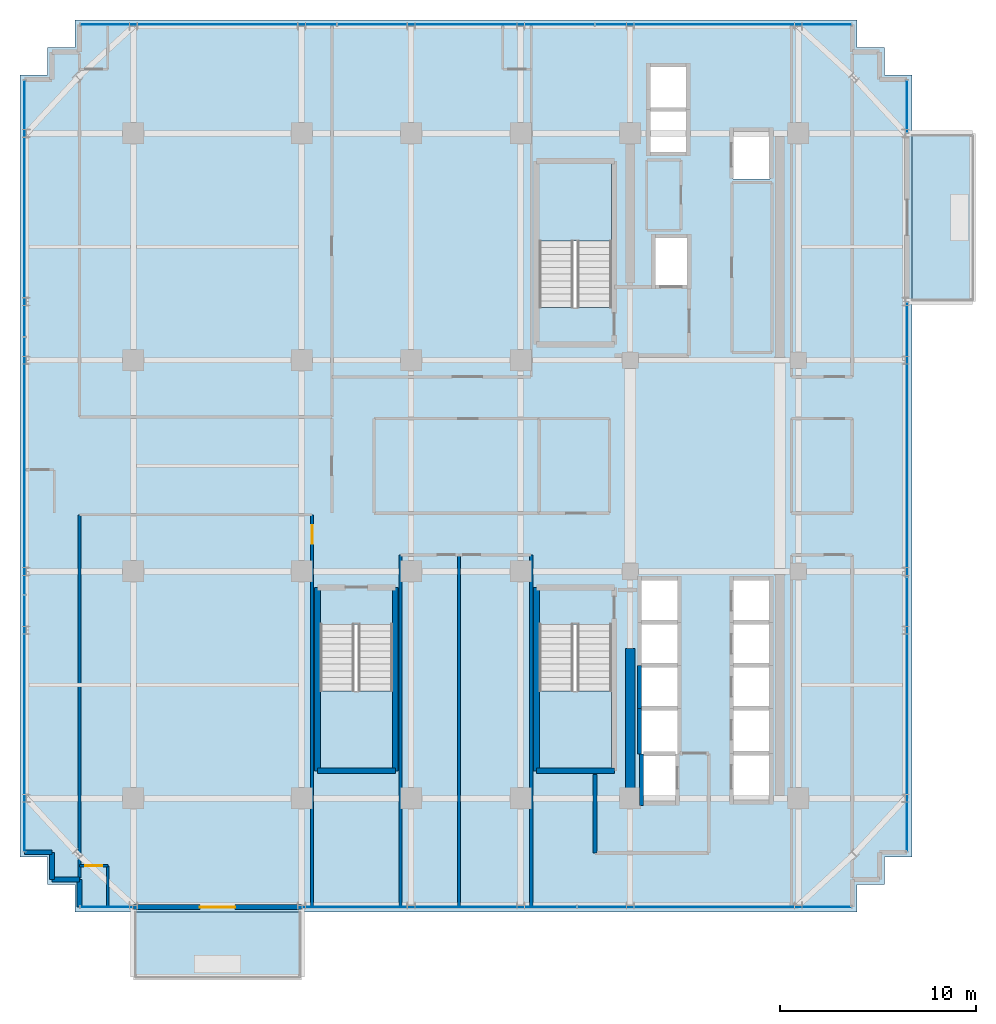
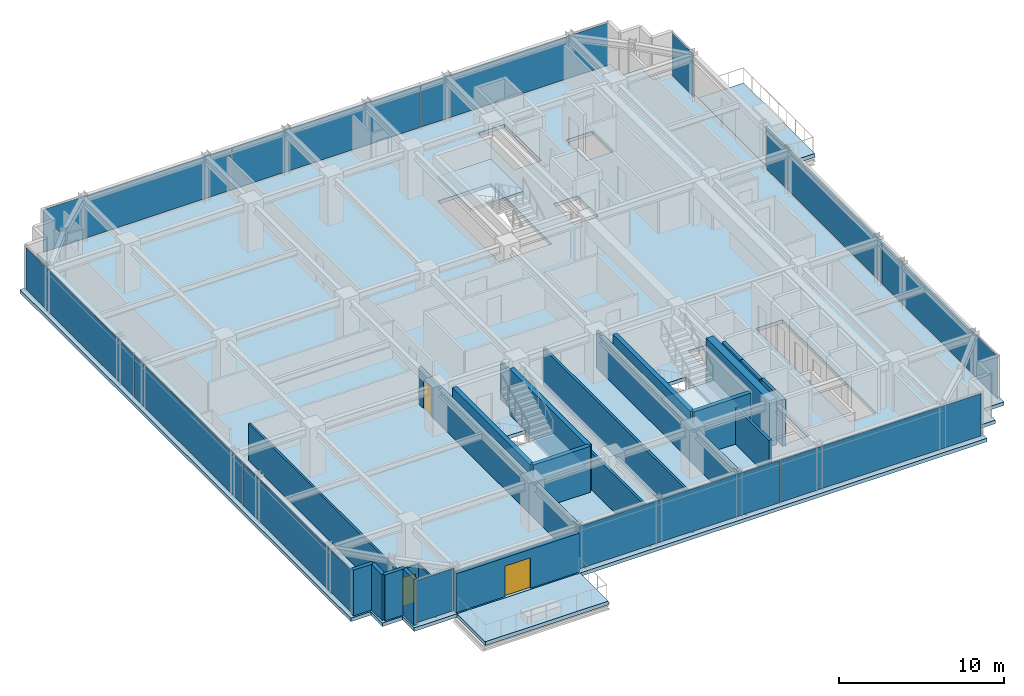
# One storey, part 24 of 31: 22 walls, 12 plates, 6 slabs, 3 doors, 3 openings, 9 elements without a shape of their own.
"""IFC4 building model written with IfcOpenShell, lengths in metres."""

from ifc_helpers import new_model, si_unit, direction, frame, frame_2d, origin, origin_2d, place, context, subcontext, project, spatial, polyline, rectangle, outline, extrude, source, transform, mapped, material, layer, layer_set, type_object, element, fill, aggregate, save


model = new_model("IFC4")

# Units and contexts
model_context = context("Model", 3, precision=1e-05, world=origin(), true_north=direction((0.0, 1.0)))
body_context = subcontext(model_context, "Body", "Model", "MODEL_VIEW")
ifc_project = project(units=[si_unit("LENGTHUNIT", "METRE"), si_unit("AREAUNIT", "SQUARE_METRE"), si_unit("VOLUMEUNIT", "CUBIC_METRE"), si_unit("PLANEANGLEUNIT", "RADIAN"), si_unit("MASSUNIT", "GRAM", prefix="KILO")], contexts=[model_context])

# Site, building, storey
site_placement = place(None, origin())
site = spatial("IfcSite", under=ifc_project, at=site_placement, CompositionType="ELEMENT")
building_placement = place(site_placement, origin())
building = spatial("IfcBuilding", under=site, at=building_placement, Name="Nahalor Promenade Grand Hotel", CompositionType="ELEMENT")
storey_placement = place(building_placement, frame((0.0, 0.0, 192.800048828125)))
storey = spatial("IfcBuildingStorey", under=building, at=storey_placement, Name="L49", CompositionType="ELEMENT", Elevation=192.800048828125)

# Stair, slab
ifc_material_1 = material(Name="Concrete B-50 (C40/50)", Category="concrete")
stair_type_1 = type_object("IfcStairType", Name="Stair-ST1", PredefinedType="HALF_TURN_STAIR", material=ifc_material_1)
stair_1_placement = place(storey_placement, origin())
stair_1 = element("IfcStair", 1, at=stair_1_placement, inside=storey, type_object=stair_type_1, Name="L49 ST1", PredefinedType="HALF_TURN_STAIR")
ifc_layer_1 = layer(ifc_material_1, 0.199951171875)
ifc_layer_set_1 = layer_set([ifc_layer_1], Name="Concrete B-50 (C40/50)")
slab_type_1 = type_object("IfcSlabType", Name="Landing-ST1", PredefinedType="LANDING", material=ifc_layer_set_1)
slab_1_placement = place(storey_placement, frame((0.0, 0.0, 1.625)))
slab_1 = element("IfcSlab", 2, at=slab_1_placement, type_object=slab_type_1, Name="ST1 landing 1", PredefinedType="LANDING", context=body_context, shape_type="SweptSolid", body=[
    extrude(outline(polyline([(7.449951171875, 11.5), (7.449951171875, 15.449951171875), (3.75, 15.449951171875), (3.75, 11.5), (7.449951171875, 11.5)])), origin(), (0.0, 0.0, 1.0), 0.199951171875),
])
aggregate(stair_1, [slab_1])

stair_type_2 = type_object("IfcStairType", Name="Stair-ST2", PredefinedType="HALF_TURN_STAIR", material=ifc_material_1)
stair_2_placement = place(storey_placement, origin())
stair_2 = element("IfcStair", 3, at=stair_2_placement, inside=storey, type_object=stair_type_2, Name="L49 ST2", PredefinedType="HALF_TURN_STAIR")
ifc_layer_2 = layer(ifc_material_1, 0.2099609375)
ifc_layer_set_2 = layer_set([ifc_layer_2], Name="Concrete B-50 (C40/50)")
slab_type_2 = type_object("IfcSlabType", Name="Landing-ST2", PredefinedType="LANDING", material=ifc_layer_set_2)
slab_2_placement = place(storey_placement, frame((0.0, 0.0, 1.614990234375)))
slab_2 = element("IfcSlab", 4, at=slab_2_placement, type_object=slab_type_2, Name="ST2 landing 1", PredefinedType="LANDING", context=body_context, shape_type="SweptSolid", body=[
    extrude(outline(polyline([(3.75, -11.5), (3.75, -15.449951171875), (7.449951171875, -15.449951171875), (7.449951171875, -11.5), (3.75, -11.5)])), origin(), (0.0, 0.0, 1.0), 0.2099609375),
])
aggregate(stair_2, [slab_2])

stair_type_3 = type_object("IfcStairType", Name="Stair-ST3", PredefinedType="HALF_TURN_STAIR", material=ifc_material_1)
stair_3_placement = place(storey_placement, origin())
stair_3 = element("IfcStair", 5, at=stair_3_placement, inside=storey, type_object=stair_type_3, Name="L49 ST3", PredefinedType="HALF_TURN_STAIR")
ifc_layer_3 = layer(ifc_material_1, 0.219970703125)
ifc_layer_set_3 = layer_set([ifc_layer_3], Name="Concrete B-50 (C40/50)")
slab_type_3 = type_object("IfcSlabType", Name="Landing-ST3", PredefinedType="LANDING", material=ifc_layer_set_3)
slab_3_placement = place(storey_placement, frame((0.0, 0.0, 1.60498046875)))
slab_3 = element("IfcSlab", 6, at=slab_3_placement, type_object=slab_type_3, Name="ST3 landing 1", PredefinedType="LANDING", context=body_context, shape_type="SweptSolid", body=[
    extrude(outline(polyline([(-7.449951171875, -11.5), (-7.449951171875, -15.449951171875), (-3.75, -15.449951171875), (-3.75, -11.5), (-7.449951171875, -11.5)])), origin(), (0.0, 0.0, 1.0), 0.219970703125),
])
aggregate(stair_3, [slab_3])

# Slabs
ifc_layer_4 = layer(ifc_material_1, 0.280029296875)
ifc_layer_set_4 = layer_set([ifc_layer_4], Name="Concrete B-50 (C40/50)")
slab_type_4 = type_object("IfcSlabType", Name="Slab-Balcony-280", PredefinedType="FLOOR", material=ifc_layer_set_4)
slab_4_placement = place(storey_placement, frame((0.0, 0.0, -0.280029296875)))
element("IfcSlab", 7, at=slab_4_placement, inside=storey, type_object=slab_type_4, Name="L49 Cantilevered Planted Balcony 1", PredefinedType="FLOOR", context=body_context, shape_type="SweptSolid", body=[
    extrude(outline(polyline([(-17.0, -26.219970703125), (-8.39990234375, -26.219970703125), (-8.39990234375, -22.800048828125), (-17.0, -22.800048828125), (-17.0, -26.219970703125)])), origin(), (0.0, 0.0, 1.0), 0.280029296875),
])
slab_5_placement = place(storey_placement, frame((0.0, 0.0, -0.280029296875)))
element("IfcSlab", 8, at=slab_5_placement, inside=storey, type_object=slab_type_4, Name="L49 Cantilevered Planted Balcony 2", PredefinedType="FLOOR", context=body_context, shape_type="SweptSolid", body=[
    extrude(outline(polyline([(22.800048828125, 8.39990234375), (25.989990234375, 8.39990234375), (25.989990234375, 17.0), (22.800048828125, 17.0), (22.800048828125, 8.39990234375)])), origin(), (0.0, 0.0, 1.0), 0.280029296875),
])
ifc_layer_5 = layer(ifc_material_1, 0.260009765625)
ifc_layer_set_5 = layer_set([ifc_layer_5], Name="Concrete B-50 (C40/50)")
slab_type_5 = type_object("IfcSlabType", Name="Slab-TowerZ3-260", PredefinedType="FLOOR", material=ifc_layer_set_5)
slab_6_placement = place(storey_placement, frame((0.0, 0.0, -0.260009765625)))
element("IfcSlab", 9, at=slab_6_placement, inside=storey, type_object=slab_type_5, Name="L49 Suspended Structural Floor Slab", PredefinedType="FLOOR", context=body_context, shape_type="SweptSolid", body=[
    extrude(outline(polyline([(-20.0, -22.800048828125), (20.0, -22.800048828125), (20.0, -21.39990234375), (21.39990234375, -21.39990234375), (21.39990234375, -20.0), (22.800048828125, -20.0), (22.800048828125, 20.0), (21.39990234375, 20.0), (21.39990234375, 21.39990234375), (20.0, 21.39990234375), (20.0, 22.800048828125), (-20.0, 22.800048828125), (-20.0, 21.39990234375), (-21.39990234375, 21.39990234375), (-21.39990234375, 20.0), (-22.800048828125, 20.0), (-22.800048828125, -20.0), (-21.39990234375, -20.0), (-21.39990234375, -21.39990234375), (-20.0, -21.39990234375), (-20.0, -22.800048828125)]), holes=[polyline([(3.75, 8.10009765625), (7.449951171875, 8.10009765625), (7.449951171875, 15.449951171875), (3.75, 15.449951171875), (3.75, 8.10009765625)]), polyline([(3.75, -15.449951171875), (7.449951171875, -15.449951171875), (7.449951171875, -8.10009765625), (3.75, -8.10009765625), (3.75, -15.449951171875)]), polyline([(-7.449951171875, -15.449951171875), (-3.75, -15.449951171875), (-3.75, -8.10009765625), (-7.449951171875, -8.10009765625), (-7.449951171875, -15.449951171875)]), polyline([(13.659912109375, -17.139892578125), (15.5400390625, -17.139892578125), (15.5400390625, -5.81005859375), (13.659912109375, -5.81005859375), (13.659912109375, -17.139892578125)]), polyline([(8.9599609375, -17.18994140625), (10.840087890625, -17.18994140625), (10.840087890625, -5.81005859375), (8.9599609375, -5.81005859375), (8.9599609375, -17.18994140625)]), polyline([(9.409912109375, 16.010009765625), (11.2900390625, 16.010009765625), (11.2900390625, 20.43994140625), (9.409912109375, 20.43994140625), (9.409912109375, 16.010009765625)]), polyline([(9.659912109375, 9.2099609375), (11.340087890625, 9.2099609375), (11.340087890625, 11.68994140625), (9.659912109375, 11.68994140625), (9.659912109375, 9.2099609375)]), polyline([(13.659912109375, 14.659912109375), (15.5400390625, 14.659912109375), (15.5400390625, 17.139892578125), (13.659912109375, 17.139892578125), (13.659912109375, 14.659912109375)])]), origin(), (0.0, 0.0, 1.0), 0.260009765625),
])

# Curtain wall, plate
ifc_material_2 = material(Name="Anodised Bronze Aluminium EN AW-6063 T6", Category="aluminium")
curtain_wall_type = type_object("IfcCurtainWallType", Name="CW2 Typical Hotel Flush Bronze Unitised Curtain Wall", PredefinedType="USERDEFINED", material=ifc_material_2)
curtain_wall_1_placement = place(storey_placement, origin())
curtain_wall_1 = element("IfcCurtainWall", 10, at=curtain_wall_1_placement, inside=storey, type_object=curtain_wall_type, Name="L49 Curtain Wall CW-L49-S-1", ObjectType="UNITISED_CURTAIN_WALL", PredefinedType="USERDEFINED")
ifc_material_3 = material(Name="Low-E Laminated Solar Glass", Category="glass")
ifc_layer_6 = layer(ifc_material_3, 0.028076171875)
ifc_layer_set_6 = layer_set([ifc_layer_6], Name="Low-E Laminated Solar Glass")
plate_type = type_object("IfcPlateType", Name="CWP2 Bronze Low-E Vision IGU 28mm", PredefinedType="CURTAIN_PANEL", material=ifc_layer_set_6)
shared_shape_1 = source(origin(), body_context, "Body", "SweptSolid", [
    extrude(rectangle(XDim=2.6298828125, YDim=0.028076171875, at=origin_2d()), origin(), (0.0, 0.0, 1.0), 3.1298828125),
])
plate_1_placement = place(storey_placement, frame((-18.3798828125, -22.56005859375, 0.130126953125), z_axis=(0.0, 0.0, 1.0), x_axis=(1.0, 0.0, 0.0)))
plate_1 = element("IfcPlate", 11, at=plate_1_placement, type_object=plate_type, Name="CW-L49-S-1 Glazing Panel 0-0", PredefinedType="CURTAIN_PANEL", context=body_context, shape_type="MappedRepresentation", body=[
    mapped(shared_shape_1, transform((0.0, 0.0, 0.0), scale=1.0)),
])
aggregate(curtain_wall_1, [plate_1])

curtain_wall_2_placement = place(storey_placement, origin())
curtain_wall_2 = element("IfcCurtainWall", 12, at=curtain_wall_2_placement, inside=storey, type_object=curtain_wall_type, Name="L49 Curtain Wall CW-L49-E-3", ObjectType="UNITISED_CURTAIN_WALL", PredefinedType="USERDEFINED")
plate_2_placement = place(storey_placement, frame((22.56005859375, 18.3798828125, 0.130126953125), z_axis=(0.0, 0.0, 1.0), x_axis=(0.0, 1.0, 0.0)))
plate_2 = element("IfcPlate", 13, at=plate_2_placement, type_object=plate_type, Name="CW-L49-E-3 Glazing Panel 0-0", PredefinedType="CURTAIN_PANEL", context=body_context, shape_type="MappedRepresentation", body=[
    mapped(shared_shape_1, transform((0.0, 0.0, 0.0), scale=1.0)),
])
aggregate(curtain_wall_2, [plate_2])

# Curtain wall, plates
curtain_wall_3_placement = place(storey_placement, origin())
curtain_wall_3 = element("IfcCurtainWall", 14, at=curtain_wall_3_placement, inside=storey, type_object=curtain_wall_type, Name="L49 Curtain Wall CW-L49-S-3", ObjectType="UNITISED_CURTAIN_WALL", PredefinedType="USERDEFINED")
shared_shape_2 = source(origin(), body_context, "Body", "SweptSolid", [
    extrude(rectangle(XDim=13.982421875, YDim=0.028076171875, at=origin_2d()), origin(), (0.0, 0.0, 1.0), 3.1298828125),
])
plate_3_placement = place(storey_placement, frame((-1.34375, -22.56005859375, 0.130126953125), z_axis=(0.0, 0.0, 1.0), x_axis=(1.0, 0.0, 0.0)))
plate_3 = element("IfcPlate", 15, at=plate_3_placement, type_object=plate_type, Name="CW-L49-S-3 Glazing Panel 0-0", PredefinedType="CURTAIN_PANEL", context=body_context, shape_type="MappedRepresentation", body=[
    mapped(shared_shape_2, transform((0.0, 0.0, 0.0), scale=1.0)),
])
plate_4_placement = place(storey_placement, frame((12.703857421875, -22.56005859375, 0.130126953125), z_axis=(0.0, 0.0, 1.0), x_axis=(1.0, 0.0, 0.0)))
plate_4 = element("IfcPlate", 16, at=plate_4_placement, type_object=plate_type, Name="CW-L49-S-3 Glazing Panel 1-0", PredefinedType="CURTAIN_PANEL", context=body_context, shape_type="MappedRepresentation", body=[
    mapped(shared_shape_2, transform((0.0, 0.0, 0.0), scale=1.0)),
])
aggregate(curtain_wall_3, [plate_3, plate_4])

curtain_wall_4_placement = place(storey_placement, origin())
curtain_wall_4 = element("IfcCurtainWall", 17, at=curtain_wall_4_placement, inside=storey, type_object=curtain_wall_type, Name="L49 Curtain Wall CW-L49-E-1", ObjectType="UNITISED_CURTAIN_WALL", PredefinedType="USERDEFINED")
plate_5_placement = place(storey_placement, frame((22.56005859375, -12.703857421875, 0.130126953125), z_axis=(0.0, 0.0, 1.0), x_axis=(0.0, 1.0, 0.0)))
plate_5 = element("IfcPlate", 18, at=plate_5_placement, type_object=plate_type, Name="CW-L49-E-1 Glazing Panel 0-0", PredefinedType="CURTAIN_PANEL", context=body_context, shape_type="MappedRepresentation", body=[
    mapped(shared_shape_2, transform((0.0, 0.0, 0.0), scale=1.0)),
])
plate_6_placement = place(storey_placement, frame((22.56005859375, 1.34375, 0.130126953125), z_axis=(0.0, 0.0, 1.0), x_axis=(0.0, 1.0, 0.0)))
plate_6 = element("IfcPlate", 19, at=plate_6_placement, type_object=plate_type, Name="CW-L49-E-1 Glazing Panel 1-0", PredefinedType="CURTAIN_PANEL", context=body_context, shape_type="MappedRepresentation", body=[
    mapped(shared_shape_2, transform((0.0, 0.0, 0.0), scale=1.0)),
])
aggregate(curtain_wall_4, [plate_5, plate_6])

curtain_wall_5_placement = place(storey_placement, origin())
curtain_wall_5 = element("IfcCurtainWall", 20, at=curtain_wall_5_placement, inside=storey, type_object=curtain_wall_type, Name="L49 Curtain Wall CW-L49-N-1", ObjectType="UNITISED_CURTAIN_WALL", PredefinedType="USERDEFINED")
shared_shape_3 = source(origin(), body_context, "Body", "SweptSolid", [
    extrude(rectangle(XDim=13.075927734375, YDim=0.028076171875, at=origin_2d()), origin(), (0.0, 0.0, 1.0), 3.1298828125),
])
plate_7_placement = place(storey_placement, frame((-13.156982421875, 22.56005859375, 0.130126953125), z_axis=(0.0, 0.0, 1.0), x_axis=(1.0, 0.0, 0.0)))
plate_7 = element("IfcPlate", 21, at=plate_7_placement, type_object=plate_type, Name="CW-L49-N-1 Glazing Panel 0-0", PredefinedType="CURTAIN_PANEL", context=body_context, shape_type="MappedRepresentation", body=[
    mapped(shared_shape_3, transform((0.0, 0.0, 0.0), scale=1.0)),
])
plate_8_placement = place(storey_placement, frame((13.156982421875, 22.56005859375, 0.130126953125), z_axis=(0.0, 0.0, 1.0), x_axis=(1.0, 0.0, 0.0)))
plate_8 = element("IfcPlate", 22, at=plate_8_placement, type_object=plate_type, Name="CW-L49-N-1 Glazing Panel 2-0", PredefinedType="CURTAIN_PANEL", context=body_context, shape_type="MappedRepresentation", body=[
    mapped(shared_shape_3, transform((0.0, 0.0, 0.0), scale=1.0)),
])

curtain_wall_6_placement = place(storey_placement, origin())
curtain_wall_6 = element("IfcCurtainWall", 23, at=curtain_wall_6_placement, inside=storey, type_object=curtain_wall_type, Name="L49 Curtain Wall CW-L49-W-1", ObjectType="UNITISED_CURTAIN_WALL", PredefinedType="USERDEFINED")
plate_9_placement = place(storey_placement, frame((-22.56005859375, -13.156982421875, 0.130126953125), z_axis=(0.0, 0.0, 1.0), x_axis=(0.0, 1.0, 0.0)))
plate_9 = element("IfcPlate", 24, at=plate_9_placement, type_object=plate_type, Name="CW-L49-W-1 Glazing Panel 0-0", PredefinedType="CURTAIN_PANEL", context=body_context, shape_type="MappedRepresentation", body=[
    mapped(shared_shape_3, transform((0.0, 0.0, 0.0), scale=1.0)),
])
plate_10_placement = place(storey_placement, frame((-22.56005859375, 13.156982421875, 0.130126953125), z_axis=(0.0, 0.0, 1.0), x_axis=(0.0, 1.0, 0.0)))
plate_10 = element("IfcPlate", 25, at=plate_10_placement, type_object=plate_type, Name="CW-L49-W-1 Glazing Panel 2-0", PredefinedType="CURTAIN_PANEL", context=body_context, shape_type="MappedRepresentation", body=[
    mapped(shared_shape_3, transform((0.0, 0.0, 0.0), scale=1.0)),
])

# Plate
shared_shape_4 = source(origin(), body_context, "Body", "SweptSolid", [
    extrude(rectangle(XDim=13.1083984375, YDim=0.028076171875, at=origin_2d()), origin(), (0.0, 0.0, 1.0), 3.1298828125),
])
plate_11_placement = place(storey_placement, frame((0.0, 22.56005859375, 0.130126953125), z_axis=(0.0, 0.0, 1.0), x_axis=(1.0, 0.0, 0.0)))
plate_11 = element("IfcPlate", 26, at=plate_11_placement, type_object=plate_type, Name="CW-L49-N-1 Glazing Panel 1-0", PredefinedType="CURTAIN_PANEL", context=body_context, shape_type="MappedRepresentation", body=[
    mapped(shared_shape_4, transform((0.0, 0.0, 0.0), scale=1.0)),
])

aggregate(curtain_wall_5, [plate_7, plate_11, plate_8])

plate_12_placement = place(storey_placement, frame((-22.56005859375, 0.0, 0.130126953125), z_axis=(0.0, 0.0, 1.0), x_axis=(0.0, 1.0, 0.0)))
plate_12 = element("IfcPlate", 27, at=plate_12_placement, type_object=plate_type, Name="CW-L49-W-1 Glazing Panel 1-0", PredefinedType="CURTAIN_PANEL", context=body_context, shape_type="MappedRepresentation", body=[
    mapped(shared_shape_4, transform((0.0, 0.0, 0.0), scale=1.0)),
])

aggregate(curtain_wall_6, [plate_9, plate_12, plate_10])

# Walls
ifc_material_4 = material(Name="Concrete B-60 (C50/60)", Category="concrete")
ifc_layer_7 = layer(ifc_material_4, 0.5)
ifc_layer_set_7 = layer_set([ifc_layer_7], Name="Concrete B-60 (C50/60)")
wall_type_1 = type_object("IfcWallType", Name="Wall-CoreShear-500", PredefinedType="SHEAR", material=ifc_layer_set_7)
shared_shape_5 = source(origin(), body_context, "Body", "SweptSolid", [
    extrude(rectangle(XDim=7.64990234375, YDim=0.5, at=frame_2d((3.824951171875, 0.0))), origin(), (0.0, 0.0, 1.0), 3.389892578125),
])
wall_1_placement = place(storey_placement, frame((8.39990234375, -17.0, 0.0), z_axis=(0.0, 0.0, 1.0), x_axis=(0.0, 1.0, 0.0)))
element("IfcWall", 28, at=wall_1_placement, inside=storey, type_object=wall_type_1, Name="CWALL-L49-SW", PredefinedType="SHEAR", context=body_context, shape_type="MappedRepresentation", body=[
    mapped(shared_shape_5, transform((0.0, 0.0, 0.0), scale=1.0)),
])
ifc_layer_8 = layer(ifc_material_1, 0.300048828125)
ifc_layer_set_8 = layer_set([ifc_layer_8], Name="Concrete B-50 (C40/50)")
wall_type_2 = type_object("IfcWallType", Name="Wall-ShaftShear-300", PredefinedType="SHEAR", material=ifc_layer_set_8)
shared_shape_6 = source(origin(), body_context, "Body", "SweptSolid", [
    extrude(rectangle(XDim=3.97998046875, YDim=0.300048828125, at=frame_2d((1.989990234375, 0.0))), origin(), (0.0, 0.0, 1.0), 3.389892578125),
])
for number, where, z_axis, x_axis, name in (
    (29, (3.610107421875, -15.590087890625, 0.0), (0.0, 0.0, 1.0), (1.0, 0.0, 0.0), "L49 Exit Stair ST2 Shaft Wall S"),
    (30, (-7.590087890625, -15.590087890625, 0.0), (0.0, 0.0, 1.0), (1.0, 0.0, 0.0), "L49 Exit Stair ST3 Shaft Wall S"),
):
    element("IfcWall", number, at=place(storey_placement, frame(where, z_axis=z_axis, x_axis=x_axis)), inside=storey, type_object=wall_type_2, Name=name, PredefinedType="SHEAR", context=body_context, shape_type="MappedRepresentation", body=[
        mapped(shared_shape_6, transform((0.0, 0.0, 0.0), scale=1.0)),
    ])
shared_shape_7 = source(origin(), body_context, "Body", "SweptSolid", [
    extrude(rectangle(XDim=9.380126953125, YDim=0.300048828125, at=frame_2d((4.68994140625, 0.0))), origin(), (0.0, 0.0, 1.0), 3.389892578125),
])
for number, where, z_axis, x_axis, name in (
    (31, (3.610107421875, -15.590087890625, 0.0), (0.0, 0.0, 1.0), (0.0, 1.0, 0.0), "L49 Exit Stair ST2 Shaft Wall W"),
    (32, (-7.590087890625, -15.590087890625, 0.0), (0.0, 0.0, 1.0), (0.0, 1.0, 0.0), "L49 Exit Stair ST3 Shaft Wall W"),
    (33, (-3.610107421875, -15.590087890625, 0.0), (0.0, 0.0, 1.0), (0.0, 1.0, 0.0), "L49 Exit Stair ST3 Shaft Wall E"),
):
    element("IfcWall", number, at=place(storey_placement, frame(where, z_axis=z_axis, x_axis=x_axis)), inside=storey, type_object=wall_type_2, Name=name, PredefinedType="SHEAR", context=body_context, shape_type="MappedRepresentation", body=[
        mapped(shared_shape_7, transform((0.0, 0.0, 0.0), scale=1.0)),
    ])
ifc_layer_9 = layer(ifc_material_1, 0.219970703125)
ifc_layer_set_9 = layer_set([ifc_layer_9], Name="Concrete B-50 (C40/50)")
wall_type_3 = type_object("IfcWallType", Name="Wall-LiftShaft-220", PredefinedType="SHEAR", material=ifc_layer_set_9)
shared_shape_8 = source(origin(), body_context, "Body", "SweptSolid", [
    extrude(rectangle(XDim=2.199951171875, YDim=0.219970703125, at=frame_2d((1.10009765625, 0.0))), origin(), (0.0, 0.0, 1.0), 3.389892578125),
])
wall_2_placement = place(storey_placement, frame((8.8798828125, -12.39990234375, 0.0), z_axis=(0.0, 0.0, 1.0), x_axis=(0.0, 1.0, 0.0)))
element("IfcWall", 34, at=wall_2_placement, inside=storey, type_object=wall_type_3, Name="L49 Lift PL11 Hoistway Wall W", PredefinedType="SHEAR", context=body_context, shape_type="MappedRepresentation", body=[
    mapped(shared_shape_8, transform((0.0, 0.0, 0.0), scale=1.0)),
])
shared_shape_9 = source(origin(), body_context, "Body", "SweptSolid", [
    extrude(rectangle(XDim=2.3251953125, YDim=0.219970703125, at=frame_2d((1.16259765625, 0.0))), origin(), (0.0, 0.0, 1.0), 3.389892578125),
])
wall_3_placement = place(storey_placement, frame((8.8798828125, -14.72509765625, 0.0), z_axis=(0.0, 0.0, 1.0), x_axis=(0.0, 1.0, 0.0)))
element("IfcWall", 35, at=wall_3_placement, inside=storey, type_object=wall_type_3, Name="L49 Lift PL12 Hoistway Wall W", PredefinedType="SHEAR", context=body_context, shape_type="MappedRepresentation", body=[
    mapped(shared_shape_9, transform((0.0, 0.0, 0.0), scale=1.0)),
])
shared_shape_10 = source(origin(), body_context, "Body", "SweptSolid", [
    extrude(rectangle(XDim=2.635009765625, YDim=0.219970703125, at=frame_2d((1.3173828125, 0.0))), origin(), (0.0, 0.0, 1.0), 3.389892578125),
])
wall_4_placement = place(storey_placement, frame((8.97998046875, -17.360107421875, 0.0), z_axis=(0.0, 0.0, 1.0), x_axis=(0.0, 1.0, 0.0)))
element("IfcWall", 36, at=wall_4_placement, inside=storey, type_object=wall_type_3, Name="L49 Lift FL2 Hoistway Wall W", PredefinedType="SHEAR", context=body_context, shape_type="MappedRepresentation", body=[
    mapped(shared_shape_10, transform((0.0, 0.0, 0.0), scale=1.0)),
])
ifc_material_5 = material(Name="Concrete B-40 (C32/40)", Category="concrete")
ifc_layer_10 = layer(ifc_material_5, 0.25)
ifc_layer_set_10 = layer_set([ifc_layer_10], Name="Concrete B-40 (C32/40)")
wall_type_4 = type_object("IfcWallType", Name="Wall-BronzePier-250", PredefinedType="STANDARD", material=ifc_layer_set_10)
shared_shape_11 = source(origin(), body_context, "Body", "SweptSolid", [
    extrude(rectangle(XDim=1.400146484375, YDim=0.25, at=frame_2d((0.7001953125, 0.0))), origin(), (0.0, 0.0, 1.0), 3.389892578125),
])
for number, where, z_axis, x_axis, name in (
    (37, (-22.56005859375, -19.760009765625, 0.0), (0.0, 0.0, 1.0), (1.0, 0.0, 0.0), "W-L49-SR-13"),
    (38, (-19.760009765625, -22.56005859375, 0.0), (0.0, 0.0, 1.0), (0.0, 1.0, 0.0), "W-L49-SR-16"),
):
    element("IfcWall", number, at=place(storey_placement, frame(where, z_axis=z_axis, x_axis=x_axis)), inside=storey, type_object=wall_type_4, Name=name, PredefinedType="STANDARD", context=body_context, shape_type="MappedRepresentation", body=[
        mapped(shared_shape_11, transform((0.0, 0.0, 0.0), scale=1.0)),
    ])
shared_shape_12 = source(origin(), body_context, "Body", "SweptSolid", [
    extrude(rectangle(XDim=1.39990234375, YDim=0.25, at=frame_2d((0.699951171875, 0.0))), origin(), (0.0, 0.0, 1.0), 3.389892578125),
])
for number, where, z_axis, x_axis, name in (
    (39, (-21.159912109375, -21.159912109375, 0.0), (0.0, 0.0, 1.0), (0.0, 1.0, 0.0), "W-L49-SR-14"),
    (40, (-21.159912109375, -21.159912109375, 0.0), (0.0, 0.0, 1.0), (1.0, 0.0, 0.0), "W-L49-SR-15"),
):
    element("IfcWall", number, at=place(storey_placement, frame(where, z_axis=z_axis, x_axis=x_axis)), inside=storey, type_object=wall_type_4, Name=name, PredefinedType="STANDARD", context=body_context, shape_type="MappedRepresentation", body=[
        mapped(shared_shape_12, transform((0.0, 0.0, 0.0), scale=1.0)),
    ])

# Wall, opening, door
ifc_layer_11 = layer(ifc_material_5, 0.260009765625)
ifc_layer_set_11 = layer_set([ifc_layer_11], Name="Concrete B-40 (C32/40)")
wall_type_5 = type_object("IfcWallType", Name="Wall-BalconyWall-260", PredefinedType="STANDARD", material=ifc_layer_set_11)
shared_shape_13 = source(origin(), body_context, "Body", "SweptSolid", [
    extrude(rectangle(XDim=8.60009765625, YDim=0.260009765625, at=frame_2d((4.300048828125, 0.0))), origin(), (0.0, 0.0, 1.0), 2.869873046875),
])
wall_5_placement = place(storey_placement, frame((-17.0, -22.56005859375, 0.0), z_axis=(0.0, 0.0, 1.0), x_axis=(1.0, 0.0, 0.0)))
wall_5 = element("IfcWall", 41, at=wall_5_placement, inside=storey, type_object=wall_type_5, Name="W-L49-BALC-S-2", PredefinedType="STANDARD", context=body_context, shape_type="MappedRepresentation", body=[
    mapped(shared_shape_13, transform((0.0, 0.0, 0.0), scale=1.0)),
])
opening_1_placement = place(wall_5_placement, frame((3.39990234375, 0.0, 0.0)))
opening_1 = element("IfcOpeningElement", 42, at=opening_1_placement, cuts=wall_5, Name="Opening D-BC1", PredefinedType="OPENING", context=body_context, shape_type="SweptSolid", body=[
    extrude(rectangle(XDim=1.800048828125, YDim=2.25, at=frame_2d((0.89990234375, 1.125))), frame((0.0, 0.139892578125, 0.0), z_axis=(0.0, -1.0, 0.0), x_axis=(1.0, 0.0, 0.0)), (0.0, 0.0, 1.0), 0.280029296875),
])
door_type_1 = type_object("IfcDoorType", Name="Door-BalconySlide-1800", OperationType="DOUBLE_DOOR_SLIDING", PredefinedType="DOOR", material=ifc_material_2)
shared_shape_14 = source(origin(), body_context, "Body", "SweptSolid", [
    extrude(rectangle(XDim=1.800048828125, YDim=2.25, at=frame_2d((0.89990234375, 1.125))), frame((0.0, 0.02490234375, 0.0), z_axis=(0.0, -1.0, 0.0), x_axis=(1.0, 0.0, 0.0)), (0.0, 0.0, 1.0), 0.050048828125),
])
door_1_placement = place(opening_1_placement, frame((1.800048828125, 0.0, 0.0), z_axis=(0.0, 0.0, 1.0), x_axis=(-1.0, 0.0, 0.0)))
door_1 = element("IfcDoor", 43, at=door_1_placement, inside=storey, type_object=door_type_1, Name="DR-L49-BALC-S-2", OperationType="DOUBLE_DOOR_SLIDING", OverallHeight=2.25, OverallWidth=1.800048828125, PredefinedType="DOOR", context=body_context, shape_type="MappedRepresentation", body=[
    mapped(shared_shape_14, transform((0.0, 0.0, 0.0), scale=1.0)),
])
fill(opening_1, door_1)

# Walls
ifc_layer_12 = layer(ifc_material_5, 0.199951171875)
ifc_layer_set_12 = layer_set([ifc_layer_12], Name="Concrete B-40 (C32/40)")
wall_type_6 = type_object("IfcWallType", Name="Wall-PartFire-200", PredefinedType="PARTITIONING", material=ifc_layer_set_12)
shared_shape_15 = source(origin(), body_context, "Body", "SweptSolid", [
    extrude(rectangle(XDim=4.030029296875, YDim=0.199951171875, at=frame_2d((2.01513671875, 0.0))), origin(), (0.0, 0.0, 1.0), 2.72998046875),
])
wall_6_placement = place(storey_placement, frame((6.60009765625, -19.800048828125, 0.0), z_axis=(0.0, 0.0, 1.0), x_axis=(0.0, 1.0, 0.0)))
element("IfcWall", 44, at=wall_6_placement, inside=storey, type_object=wall_type_6, Name="W-L49-FF2-W1", PredefinedType="PARTITIONING", context=body_context, shape_type="MappedRepresentation", body=[
    mapped(shared_shape_15, transform((0.0, 0.0, 0.0), scale=1.0)),
])
ifc_material_6 = material(Name="Acoustic Mineral Gypsum", Category="gypsum")
ifc_layer_13 = layer(ifc_material_6, 0.159912109375)
ifc_layer_set_13 = layer_set([ifc_layer_13], Name="Acoustic Mineral Gypsum")
wall_type_7 = type_object("IfcWallType", Name="Wall-PartCorridor-160", PredefinedType="PARTITIONING", material=ifc_layer_set_13)
shared_shape_16 = source(origin(), body_context, "Body", "SweptSolid", [
    extrude(rectangle(XDim=17.949951171875, YDim=0.159912109375, at=frame_2d((8.97509765625, 0.0))), origin(), (0.0, 0.0, 1.0), 2.72998046875),
])
for number, where, z_axis, x_axis, name in (
    (45, (-3.340087890625, -22.5, 0.0), (0.0, 0.0, 1.0), (0.0, 1.0, 0.0), "W-L49-SCB1-W"),
    (46, (-0.35009765625, -22.5, 0.0), (0.0, 0.0, 1.0), (0.0, 1.0, 0.0), "W-L49-SCB1-E"),
    (47, (3.340087890625, -22.5, 0.0), (0.0, 0.0, 1.0), (0.0, 1.0, 0.0), "W-L49-SCB2-E"),
):
    element("IfcWall", number, at=place(storey_placement, frame(where, z_axis=z_axis, x_axis=x_axis)), inside=storey, type_object=wall_type_7, Name=name, PredefinedType="PARTITIONING", context=body_context, shape_type="MappedRepresentation", body=[
        mapped(shared_shape_16, transform((0.0, 0.0, 0.0), scale=1.0)),
    ])

# Wall, opening, door
shared_shape_17 = source(origin(), body_context, "Body", "SweptSolid", [
    extrude(rectangle(XDim=20.0, YDim=0.159912109375, at=frame_2d((10.0, 0.0))), origin(), (0.0, 0.0, 1.0), 2.72998046875),
])
wall_7_placement = place(storey_placement, frame((-7.860107421875, -22.5, 0.0), z_axis=(0.0, 0.0, 1.0), x_axis=(0.0, 1.0, 0.0)))
wall_7 = element("IfcWall", 48, at=wall_7_placement, inside=storey, type_object=wall_type_7, Name="W-L49-ZSW-E", PredefinedType="PARTITIONING", context=body_context, shape_type="MappedRepresentation", body=[
    mapped(shared_shape_17, transform((0.0, 0.0, 0.0), scale=1.0)),
])
opening_2_placement = place(wall_7_placement, frame((18.52490234375, 0.0, 0.0)))
opening_2 = element("IfcOpeningElement", 49, at=opening_2_placement, cuts=wall_7, Name="Opening D-01", PredefinedType="OPENING", context=body_context, shape_type="SweptSolid", body=[
    extrude(rectangle(XDim=0.949951171875, YDim=2.10009765625, at=frame_2d((0.47509765625, 1.050048828125))), frame((0.0, 0.08984375, 0.0), z_axis=(0.0, -1.0, 0.0), x_axis=(1.0, 0.0, 0.0)), (0.0, 0.0, 1.0), 0.179931640625),
])
ifc_material_7 = material(Name="Fire-Rated Timber Composite", Category="wood")
door_type_2 = type_object("IfcDoorType", Name="Door-GuestEntry-950", OperationType="NOTDEFINED", PredefinedType="DOOR", material=ifc_material_7)
shared_shape_18 = source(origin(), body_context, "Body", "SweptSolid", [
    extrude(rectangle(XDim=0.949951171875, YDim=2.10009765625, at=frame_2d((0.47509765625, 1.050048828125))), frame((0.0, 0.02490234375, 0.0), z_axis=(0.0, -1.0, 0.0), x_axis=(1.0, 0.0, 0.0)), (0.0, 0.0, 1.0), 0.050048828125),
])
door_2_placement = place(opening_2_placement, origin())
door_2 = element("IfcDoor", 50, at=door_2_placement, inside=storey, type_object=door_type_2, Name="DR-L49-SW0-ENT", OperationType="SINGLE_SWING_RIGHT", OverallHeight=2.10009765625, OverallWidth=0.949951171875, PredefinedType="DOOR", context=body_context, shape_type="MappedRepresentation", body=[
    mapped(shared_shape_18, transform((0.0, 0.0, 0.0), scale=1.0)),
])
fill(opening_2, door_2)

# Wall
ifc_layer_14 = layer(ifc_material_6, 0.139892578125)
ifc_layer_set_14 = layer_set([ifc_layer_14], Name="Acoustic Mineral Gypsum")
wall_type_8 = type_object("IfcWallType", Name="Wall-PartSuite-140", PredefinedType="PARTITIONING", material=ifc_layer_set_14)
shared_shape_19 = source(origin(), body_context, "Body", "SweptSolid", [
    extrude(rectangle(XDim=18.580078125, YDim=0.139892578125, at=frame_2d((9.2900390625, 0.0))), origin(), (0.0, 0.0, 1.0), 2.72998046875),
])
wall_8_placement = place(storey_placement, frame((-19.760009765625, -21.080078125, 0.0), z_axis=(0.0, 0.0, 1.0), x_axis=(0.0, 1.0, 0.0)))
element("IfcWall", 51, at=wall_8_placement, inside=storey, type_object=wall_type_8, Name="W-L49-ZSW-W", PredefinedType="PARTITIONING", context=body_context, shape_type="MappedRepresentation", body=[
    mapped(shared_shape_19, transform((0.0, 0.0, 0.0), scale=1.0)),
])

# Wall, opening, door
ifc_layer_15 = layer(ifc_material_6, 0.1201171875)
ifc_layer_set_15 = layer_set([ifc_layer_15], Name="Acoustic Mineral Gypsum")
wall_type_9 = type_object("IfcWallType", Name="Wall-PartBath-120", PredefinedType="PARTITIONING", material=ifc_layer_set_15)
shared_shape_20 = source(origin(), body_context, "Body", "SweptSolid", [
    extrude(rectangle(XDim=1.449951171875, YDim=0.1201171875, at=frame_2d((0.72509765625, 0.0))), origin(), (0.0, 0.0, 1.0), 2.72998046875),
])
wall_9_placement = place(storey_placement, frame((-19.760009765625, -20.449951171875, 0.0), z_axis=(0.0, 0.0, 1.0), x_axis=(1.0, 0.0, 0.0)))
wall_9 = element("IfcWall", 52, at=wall_9_placement, inside=storey, type_object=wall_type_9, Name="W-L49-SW0-BH", PredefinedType="PARTITIONING", context=body_context, shape_type="MappedRepresentation", body=[
    mapped(shared_shape_20, transform((0.0, 0.0, 0.0), scale=1.0)),
])
opening_3_placement = place(wall_9_placement, frame((0.284912109375, 0.0, 0.0)))
opening_3 = element("IfcOpeningElement", 53, at=opening_3_placement, cuts=wall_9, Name="Opening D-03", PredefinedType="OPENING", context=body_context, shape_type="SweptSolid", body=[
    extrude(rectangle(XDim=0.8798828125, YDim=2.10009765625, at=frame_2d((0.43994140625, 1.050048828125))), frame((0.0, 0.070068359375, 0.0), z_axis=(0.0, -1.0, 0.0), x_axis=(1.0, 0.0, 0.0)), (0.0, 0.0, 1.0), 0.14013671875),
])
door_type_3 = type_object("IfcDoorType", Name="Door-BathSwing-880", OperationType="NOTDEFINED", PredefinedType="DOOR", material=ifc_material_7)
shared_shape_21 = source(origin(), body_context, "Body", "SweptSolid", [
    extrude(rectangle(XDim=0.8798828125, YDim=2.10009765625, at=frame_2d((0.43994140625, 1.050048828125))), frame((0.0, 0.02490234375, 0.0), z_axis=(0.0, -1.0, 0.0), x_axis=(1.0, 0.0, 0.0)), (0.0, 0.0, 1.0), 0.050048828125),
])
door_3_placement = place(opening_3_placement, frame((0.8798828125, 0.0, 0.0), z_axis=(0.0, 0.0, 1.0), x_axis=(-1.0, 0.0, 0.0)))
door_3 = element("IfcDoor", 54, at=door_3_placement, inside=storey, type_object=door_type_3, Name="DR-L49-SW0-BATH", OperationType="SINGLE_SWING_LEFT", OverallHeight=2.10009765625, OverallWidth=0.8798828125, PredefinedType="DOOR", context=body_context, shape_type="MappedRepresentation", body=[
    mapped(shared_shape_21, transform((0.0, 0.0, 0.0), scale=1.0)),
])
fill(opening_3, door_3)

# Wall
shared_shape_22 = source(origin(), body_context, "Body", "SweptSolid", [
    extrude(rectangle(XDim=2.050048828125, YDim=0.1201171875, at=frame_2d((1.02490234375, 0.0))), origin(), (0.0, 0.0, 1.0), 2.72998046875),
])
wall_10_placement = place(storey_placement, frame((-18.31005859375, -22.5, 0.0), z_axis=(0.0, 0.0, 1.0), x_axis=(0.0, 1.0, 0.0)))
element("IfcWall", 55, at=wall_10_placement, inside=storey, type_object=wall_type_9, Name="W-L49-SW0-BV", PredefinedType="PARTITIONING", context=body_context, shape_type="MappedRepresentation", body=[
    mapped(shared_shape_22, transform((0.0, 0.0, 0.0), scale=1.0)),
])

save(model, "model.ifc")
